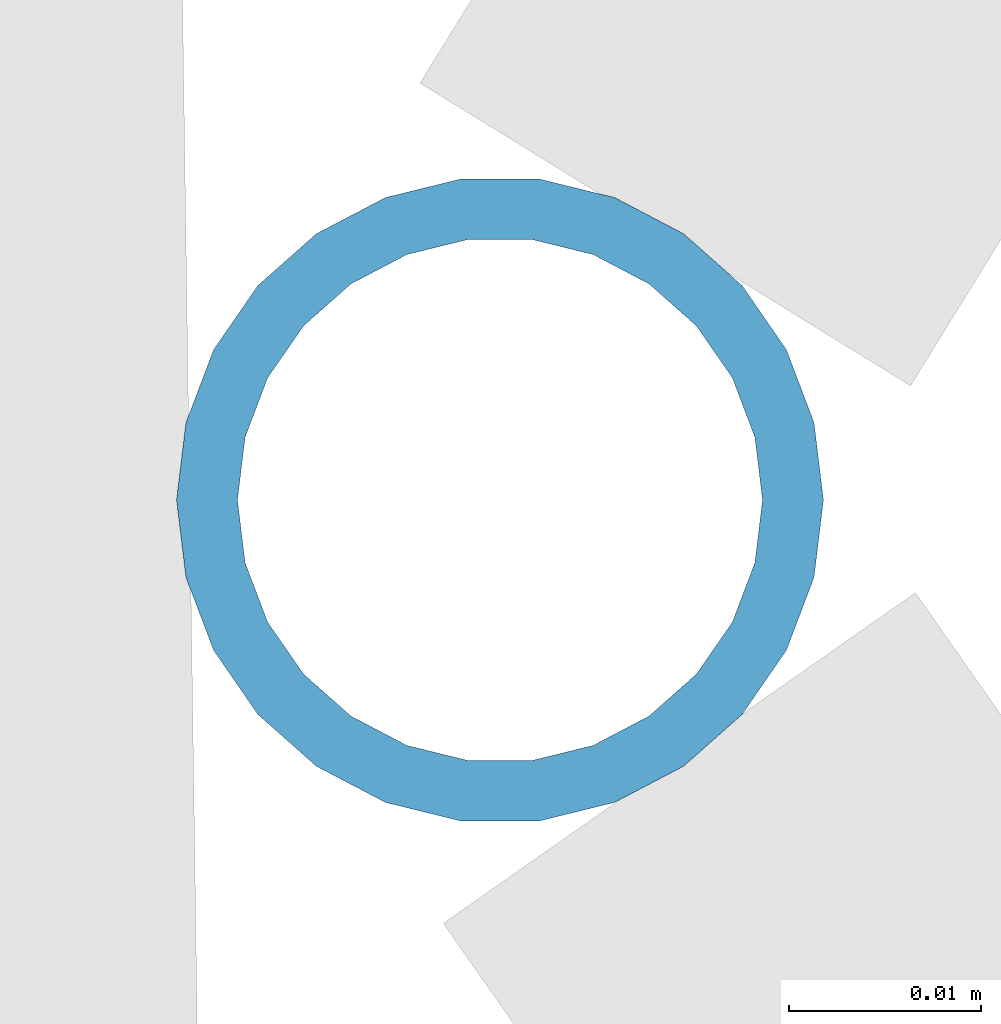
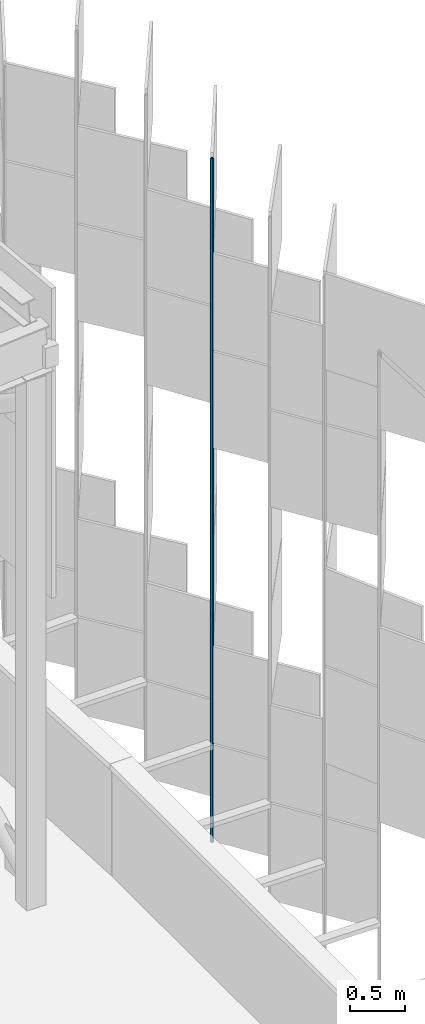
# One storey, part 286 of 483: 1 discrete accessory.
"""IFC4 building model written with IfcOpenShell, lengths in metres."""

from ifc_helpers import new_model, si_unit, direction, frame, origin, origin_2d, place, context, subcontext, project, spatial, hollow_circle, extrude, material, material_profile, profile_set, type_object, element, save


model = new_model("IFC4")

# Units and contexts
model_context = context("Model", 3, precision=1e-05, world=origin(), true_north=direction((0.0, 1.0)))
body_context = subcontext(model_context, "Body", "Model", "MODEL_VIEW")
ifc_project = project(units=[si_unit("LENGTHUNIT", "METRE"), si_unit("AREAUNIT", "SQUARE_METRE"), si_unit("VOLUMEUNIT", "CUBIC_METRE"), si_unit("PLANEANGLEUNIT", "RADIAN"), si_unit("MASSUNIT", "GRAM", prefix="KILO")], contexts=[model_context])

# Site, building, storey
site_placement = place(None, origin())
site = spatial("IfcSite", under=ifc_project, at=site_placement, CompositionType="ELEMENT")
building_placement = place(site_placement, origin())
building = spatial("IfcBuilding", under=site, at=building_placement, Name="Parallax Yard Mobility Hub", CompositionType="ELEMENT")
storey_placement = place(building_placement, frame((0.0, 0.0, 13.199951171875)))
storey = spatial("IfcBuildingStorey", under=building, at=storey_placement, Name="L04", CompositionType="ELEMENT", Elevation=13.199951171875)

# Discrete accessory
ifc_material = material(Name="Steel ASTM A500 Gr C, hot-dip galvanised", Category="steel")
ifc_material_profile = material_profile(ifc_material, hollow_circle(Radius=0.016845703125, WallThickness=0.003173828125, at=origin_2d()), Name="CHS 33.7x3.2")
ifc_profile_set = profile_set([ifc_material_profile], Name="Steel ASTM A500 Gr C, hot-dip galvanised")
discrete_accessory_type = type_object("IfcDiscreteAccessoryType", Name="Hinge post CHS 33.7x3.2", PredefinedType="BRACKET", material=ifc_profile_set)
discrete_accessory_placement = place(storey_placement, frame((225.82373046875, 90.010009765625, 0.0), z_axis=(0.0, 0.0, 1.0), x_axis=(1.0, 0.0, 0.0)))
element("IfcDiscreteAccessory", 1, at=discrete_accessory_placement, inside=storey, type_object=discrete_accessory_type, Name="Hinge post bay 41.1 level L04", PredefinedType="BRACKET", context=body_context, shape_type="SweptSolid", body=[
    extrude(hollow_circle(Radius=0.016845703125, WallThickness=0.003173828125, at=origin_2d()), origin(), (0.0, 0.0, 1.0), 7.650146484375),
])

save(model, "model.ifc")
